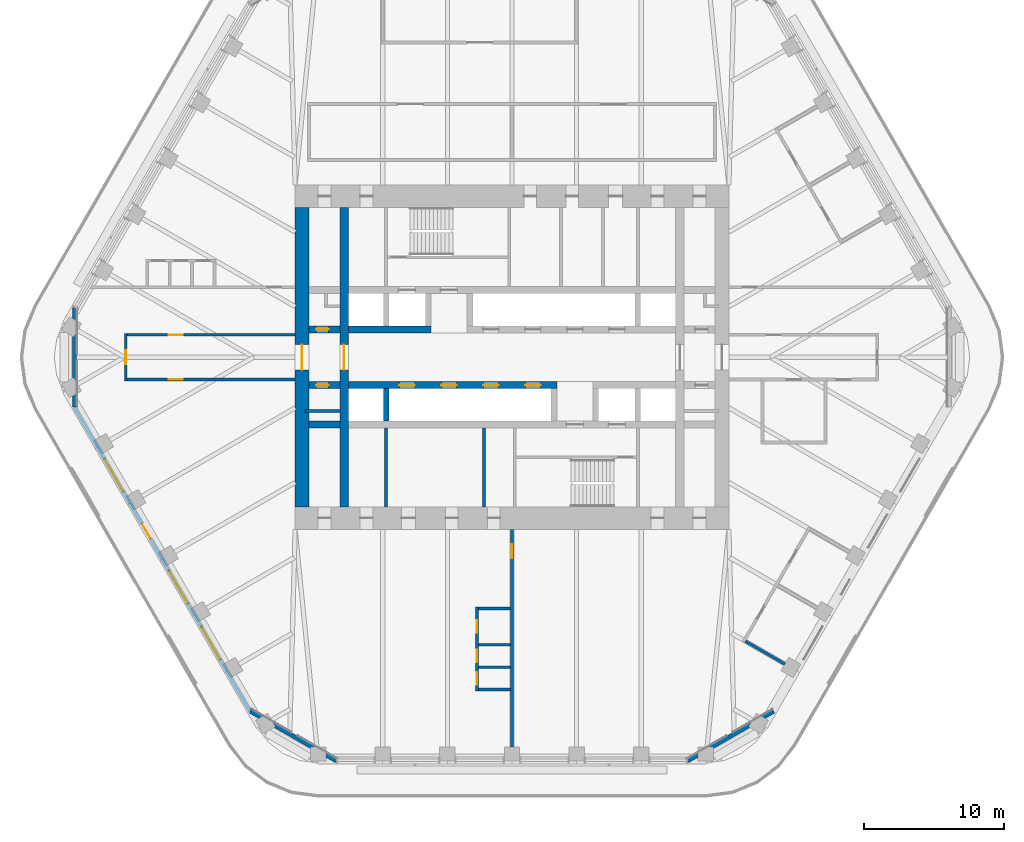
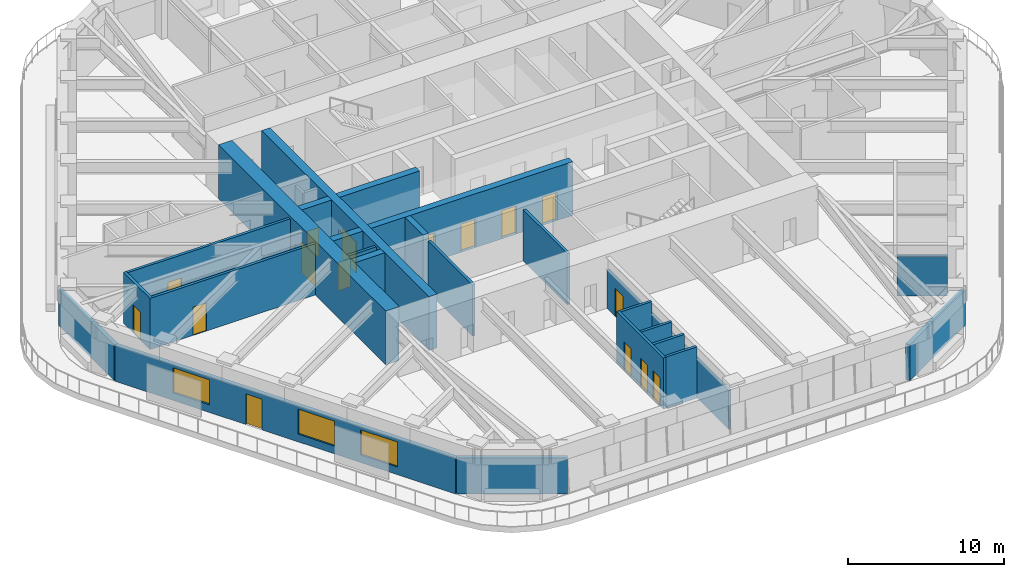
# One storey, part 14 of 20: 25 walls, 16 doors, 3 windows, 19 openings.
"""IFC4 building model written with IfcOpenShell, lengths in metres."""

from ifc_helpers import new_model, si_unit, direction, frame, frame_2d, origin, place, context, subcontext, project, spatial, rectangle, extrude, material, layer, layer_set, type_object, element, fill, save


model = new_model("IFC4")

# Units and contexts
model_context = context("Model", 3, precision=1e-05, world=origin(), true_north=direction((0.0, 1.0)))
body_context = subcontext(model_context, "Body", "Model", "MODEL_VIEW")
ifc_project = project(units=[si_unit("LENGTHUNIT", "METRE"), si_unit("AREAUNIT", "SQUARE_METRE"), si_unit("VOLUMEUNIT", "CUBIC_METRE"), si_unit("PLANEANGLEUNIT", "RADIAN"), si_unit("MASSUNIT", "GRAM", prefix="KILO")], contexts=[model_context])

# Site, building, storey
site_placement = place(None, origin())
site = spatial("IfcSite", under=ifc_project, at=site_placement, CompositionType="ELEMENT")
building_placement = place(site_placement, origin())
building = spatial("IfcBuilding", under=site, at=building_placement, Name="Tarfa Lantern Tower", CompositionType="ELEMENT")
storey_placement = place(building_placement, frame((0.0, 0.0, 278.5)))
storey = spatial("IfcBuildingStorey", under=building, at=storey_placement, Name="L63", CompositionType="ELEMENT", Elevation=278.5)

# Walls
ifc_material_1 = material(Name="Limestone cladding on blockwork", Category="masonry")
ifc_layer_1 = layer(ifc_material_1, 0.300048828125)
ifc_layer_set_1 = layer_set([ifc_layer_1], Name="EW1 STONE-CLAD WALL 300")
wall_type_1 = type_object("IfcWallType", Name="EW1 STONE-CLAD WALL 300", PredefinedType="SOLIDWALL", material=ifc_layer_set_1)
wall_1_placement = place(storey_placement, frame((-31.262939453125, 3.55078125, 0.0), z_axis=(0.0, 0.0, 1.0), x_axis=(0.0, -1.0, 0.0)))
element("IfcWall", 1, at=wall_1_placement, inside=storey, type_object=wall_type_1, Name="Garden wall NW-SW", PredefinedType="SOLIDWALL", context=body_context, shape_type="SweptSolid", body=[
    extrude(rectangle(XDim=7.1015625, YDim=0.300048828125, at=frame_2d((3.55078125, 0.0))), origin(), (0.0, 0.0, 1.0), 2.800048828125),
])
for number, where, z_axis, x_axis, name in (
    (2, (-18.70654296875, -25.299072265625, 0.0), (0.0, 0.0, 1.0), (0.866010973379, -0.500024993363, 0.0), "Garden wall SW-S"),
    (3, (12.556396484375, -28.85009765625, 0.0), (0.0, 0.0, 1.0), (0.866010973379, 0.500024993363, 0.0), "Garden wall S-SE"),
):
    element("IfcWall", number, at=place(storey_placement, frame(where, z_axis=z_axis, x_axis=x_axis)), inside=storey, type_object=wall_type_1, Name=name, PredefinedType="SOLIDWALL", context=body_context, shape_type="SweptSolid", body=[
        extrude(rectangle(XDim=7.101806640625, YDim=0.300048828125, at=frame_2d((3.55078125, 0.0))), origin(), (0.0, 0.0, 1.0), 2.800048828125),
    ])

# Wall, openings, door, windows
wall_2_placement = place(storey_placement, frame((-31.262939453125, -3.55078125, 0.0), z_axis=(0.0, 0.0, 1.0), x_axis=(0.500000442367, -0.866025148383, 0.0)))
wall_2 = element("IfcWall", 4, at=wall_2_placement, inside=storey, type_object=wall_type_1, Name="Stone wall SW", PredefinedType="SOLIDWALL", context=body_context, shape_type="SweptSolid", body=[
    extrude(rectangle(XDim=25.11279296875, YDim=0.300048828125, at=frame_2d((12.556396484375, 0.0))), origin(), (0.0, 0.0, 1.0), 2.800048828125),
])
opening_1_placement = place(wall_2_placement, frame((4.2783203125, 0.0, 0.60009765625)))
opening_1 = element("IfcOpeningElement", 5, at=opening_1_placement, cuts=wall_2, Name="Opening W14", PredefinedType="OPENING", context=body_context, shape_type="SweptSolid", body=[
    extrude(rectangle(XDim=2.699951171875, YDim=1.949951171875, at=frame_2d((1.35009765625, 0.97509765625))), frame((0.0, 0.159912109375, 0.0), z_axis=(0.0, -1.0, 0.0), x_axis=(1.0, 0.0, 0.0)), (0.0, 0.0, 1.0), 0.320068359375),
])
opening_2_placement = place(wall_2_placement, frame((9.64697265625, 0.0, 0.0)))
opening_2 = element("IfcOpeningElement", 6, at=opening_2_placement, cuts=wall_2, Name="Opening D52", PredefinedType="OPENING", context=body_context, shape_type="SweptSolid", body=[
    extrude(rectangle(XDim=1.199951171875, YDim=2.39990234375, at=frame_2d((0.60009765625, 1.199951171875))), frame((0.0, 0.159912109375, 0.0), z_axis=(0.0, -1.0, 0.0), x_axis=(1.0, 0.0, 0.0)), (0.0, 0.0, 1.0), 0.320068359375),
])
opening_3_placement = place(wall_2_placement, frame((13.515869140625, 0.0, 0.60009765625)))
opening_3 = element("IfcOpeningElement", 7, at=opening_3_placement, cuts=wall_2, Name="Opening W14", PredefinedType="OPENING", context=body_context, shape_type="SweptSolid", body=[
    extrude(rectangle(XDim=2.699951171875, YDim=1.949951171875, at=frame_2d((1.35009765625, 0.97509765625))), frame((0.0, 0.159912109375, 0.0), z_axis=(0.0, -1.0, 0.0), x_axis=(1.0, 0.0, 0.0)), (0.0, 0.0, 1.0), 0.320068359375),
])
opening_4_placement = place(wall_2_placement, frame((18.134521484375, 0.0, 0.60009765625)))
opening_4 = element("IfcOpeningElement", 8, at=opening_4_placement, cuts=wall_2, Name="Opening W14", PredefinedType="OPENING", context=body_context, shape_type="SweptSolid", body=[
    extrude(rectangle(XDim=2.699951171875, YDim=1.949951171875, at=frame_2d((1.35009765625, 0.97509765625))), frame((0.0, 0.159912109375, 0.0), z_axis=(0.0, -1.0, 0.0), x_axis=(1.0, 0.0, 0.0)), (0.0, 0.0, 1.0), 0.320068359375),
])
ifc_material_2 = material(Name="Aluminium framed glazed door", Category="aluminium")
door_type_1 = type_object("IfcDoorType", Name="BE3 BALCONY DOOR 1200x2400", OperationType="SINGLE_SWING_RIGHT", PredefinedType="DOOR", material=ifc_material_2)
door_1_placement = place(opening_2_placement, origin())
door_1 = element("IfcDoor", 9, at=door_1_placement, inside=storey, type_object=door_type_1, Name="Balcony door SW", OperationType="SINGLE_SWING_RIGHT", OverallHeight=2.39990234375, OverallWidth=1.199951171875, PredefinedType="DOOR", context=body_context, shape_type="SweptSolid", body=[
    extrude(rectangle(XDim=1.199951171875, YDim=2.39990234375, at=frame_2d((0.60009765625, 1.199951171875))), frame((0.0, 0.02490234375, 0.0), z_axis=(0.0, -1.0, 0.0), x_axis=(1.0, 0.0, 0.0)), (0.0, 0.0, 1.0), 0.050048828125),
])
fill(opening_2, door_1)
ifc_material_3 = material(Name="Aluminium frame, double glazed", Category="aluminium")
window_type = type_object("IfcWindowType", Name="W14 FULL-HEIGHT GLAZING 2700x1950", PartitioningType="SINGLE_PANEL", PredefinedType="WINDOW", material=ifc_material_3)
window_1_placement = place(opening_1_placement, origin())
window_1 = element("IfcWindow", 10, at=window_1_placement, inside=storey, type_object=window_type, Name="Window SW 2", OverallHeight=1.949951171875, OverallWidth=2.699951171875, PartitioningType="SINGLE_PANEL", PredefinedType="WINDOW", context=body_context, shape_type="SweptSolid", body=[
    extrude(rectangle(XDim=2.699951171875, YDim=1.949951171875, at=frame_2d((1.35009765625, 0.97509765625))), frame((0.0, 0.030029296875, 0.0), z_axis=(0.0, -1.0, 0.0), x_axis=(1.0, 0.0, 0.0)), (0.0, 0.0, 1.0), 0.06005859375),
])
fill(opening_1, window_1)
window_2_placement = place(opening_3_placement, origin())
window_2 = element("IfcWindow", 11, at=window_2_placement, inside=storey, type_object=window_type, Name="Window SW 4", OverallHeight=1.949951171875, OverallWidth=2.699951171875, PartitioningType="SINGLE_PANEL", PredefinedType="WINDOW", context=body_context, shape_type="SweptSolid", body=[
    extrude(rectangle(XDim=2.699951171875, YDim=1.949951171875, at=frame_2d((1.35009765625, 0.97509765625))), frame((0.0, 0.030029296875, 0.0), z_axis=(0.0, -1.0, 0.0), x_axis=(1.0, 0.0, 0.0)), (0.0, 0.0, 1.0), 0.06005859375),
])
fill(opening_3, window_2)
window_3_placement = place(opening_4_placement, origin())
window_3 = element("IfcWindow", 12, at=window_3_placement, inside=storey, type_object=window_type, Name="Window SW 5", OverallHeight=1.949951171875, OverallWidth=2.699951171875, PartitioningType="SINGLE_PANEL", PredefinedType="WINDOW", context=body_context, shape_type="SweptSolid", body=[
    extrude(rectangle(XDim=2.699951171875, YDim=1.949951171875, at=frame_2d((1.35009765625, 0.97509765625))), frame((0.0, 0.030029296875, 0.0), z_axis=(0.0, -1.0, 0.0), x_axis=(1.0, 0.0, 0.0)), (0.0, 0.0, 1.0), 0.06005859375),
])
fill(opening_4, window_3)

# Walls
ifc_material_4 = material(Name="Concrete blockwork", Category="masonry")
ifc_layer_2 = layer(ifc_material_4, 0.199951171875)
ifc_layer_set_2 = layer_set([ifc_layer_2], Name="IW1 BLOCKWORK PARTITION 200 EI 120")
wall_type_2 = type_object("IfcWallType", Name="IW1 BLOCKWORK PARTITION 200 EI 120", PredefinedType="PARTITIONING", material=ifc_layer_set_2)
for number, where, z_axis, x_axis, name in (
    (13, (-9.0, -5.050048828125, 0.0), (0.0, 0.0, 1.0), (0.0, -1.0, 0.0), "Core partition"),
    (14, (-2.0, -5.050048828125, 0.0), (0.0, 0.0, 1.0), (0.0, -1.0, 0.0), "Core partition"),
):
    element("IfcWall", number, at=place(storey_placement, frame(where, z_axis=z_axis, x_axis=x_axis)), inside=storey, type_object=wall_type_2, Name=name, PredefinedType="PARTITIONING", context=body_context, shape_type="SweptSolid", body=[
        extrude(rectangle(XDim=5.64990234375, YDim=0.199951171875, at=frame_2d((2.824951171875, 0.0))), origin(), (0.0, 0.0, 1.0), 4.0),
    ])
wall_3_placement = place(storey_placement, frame((-12.300048828125, -3.85009765625, 0.0), z_axis=(0.0, 0.0, 1.0), x_axis=(-1.0, 0.0, 0.0)))
element("IfcWall", 15, at=wall_3_placement, inside=storey, type_object=wall_type_2, Name="Core partition", PredefinedType="PARTITIONING", context=body_context, shape_type="SweptSolid", body=[
    extrude(rectangle(XDim=2.5, YDim=0.199951171875, at=frame_2d((1.25, 0.0))), origin(), (0.0, 0.0, 1.0), 4.0),
])
ifc_material_5 = material(Name="Gypsum board on steel studs", Category="steel")
ifc_layer_3 = layer(ifc_material_5, 0.2099609375)
ifc_layer_set_3 = layer_set([ifc_layer_3], Name="IW2 ACOUSTIC PARTITION 200")
wall_type_3 = type_object("IfcWallType", Name="IW2 ACOUSTIC PARTITION 200", PredefinedType="PARTITIONING", material=ifc_layer_set_3)
wall_4_placement = place(storey_placement, frame((16.685302734375, -20.300048828125, 0.0), z_axis=(0.0, 0.0, 1.0), x_axis=(0.866034226713, -0.499984717929, 0.0)))
element("IfcWall", 16, at=wall_4_placement, inside=storey, type_object=wall_type_3, Name="Partition", PredefinedType="PARTITIONING", context=body_context, shape_type="SweptSolid", body=[
    extrude(rectangle(XDim=3.25, YDim=0.199951171875, at=frame_2d((1.625, 0.0))), origin(), (0.0, 0.0, 1.0), 3.08154296875),
])

# Wall, opening, door
wall_5_placement = place(storey_placement, frame((-15.5, 1.60009765625, 0.0), z_axis=(0.0, 0.0, 1.0), x_axis=(-1.0, 0.0, 0.0)))
wall_5 = element("IfcWall", 17, at=wall_5_placement, inside=storey, type_object=wall_type_3, Name="Partition", PredefinedType="PARTITIONING", context=body_context, shape_type="SweptSolid", body=[
    extrude(rectangle(XDim=12.199951171875, YDim=0.199951171875, at=frame_2d((6.10009765625, 0.0))), origin(), (0.0, 0.0, 1.0), 4.0),
])
opening_5_placement = place(wall_5_placement, frame((8.0400390625, 0.0, 0.0)))
opening_5 = element("IfcOpeningElement", 18, at=opening_5_placement, cuts=wall_5, Name="Opening D45", PredefinedType="OPENING", context=body_context, shape_type="SweptSolid", body=[
    extrude(rectangle(XDim=1.0, YDim=2.199951171875, at=frame_2d((0.5, 1.10009765625))), frame((0.0, 0.10986328125, 0.0), z_axis=(0.0, -1.0, 0.0), x_axis=(1.0, 0.0, 0.0)), (0.0, 0.0, 1.0), 0.219970703125),
])
ifc_material_6 = material(Name="Timber door", Category="wood")
door_type_2 = type_object("IfcDoorType", Name="DR1 ROOM DOOR 1000x2200", OperationType="SINGLE_SWING_LEFT", PredefinedType="DOOR", material=ifc_material_6)
door_2_placement = place(opening_5_placement, frame((1.0, 0.0, 0.0), z_axis=(0.0, 0.0, 1.0), x_axis=(-1.0, 0.0, 0.0)))
door_2 = element("IfcDoor", 19, at=door_2_placement, inside=storey, type_object=door_type_2, Name="Corridor door", OperationType="SINGLE_SWING_RIGHT", OverallHeight=2.199951171875, OverallWidth=1.0, PredefinedType="DOOR", context=body_context, shape_type="SweptSolid", body=[
    extrude(rectangle(XDim=1.0, YDim=2.199951171875, at=frame_2d((0.5, 1.10009765625))), frame((0.0, 0.02490234375, 0.0), z_axis=(0.0, -1.0, 0.0), x_axis=(1.0, 0.0, 0.0)), (0.0, 0.0, 1.0), 0.050048828125),
])
fill(opening_5, door_2)

wall_6_placement = place(storey_placement, frame((-15.5, -1.60009765625, 0.0), z_axis=(0.0, 0.0, 1.0), x_axis=(-1.0, 0.0, 0.0)))
wall_6 = element("IfcWall", 20, at=wall_6_placement, inside=storey, type_object=wall_type_3, Name="Partition", PredefinedType="PARTITIONING", context=body_context, shape_type="SweptSolid", body=[
    extrude(rectangle(XDim=12.199951171875, YDim=0.199951171875, at=frame_2d((6.10009765625, 0.0))), origin(), (0.0, 0.0, 1.0), 4.0),
])
opening_6_placement = place(wall_6_placement, frame((8.0400390625, 0.0, 0.0)))
opening_6 = element("IfcOpeningElement", 21, at=opening_6_placement, cuts=wall_6, Name="Opening D46", PredefinedType="OPENING", context=body_context, shape_type="SweptSolid", body=[
    extrude(rectangle(XDim=1.0, YDim=2.199951171875, at=frame_2d((0.5, 1.10009765625))), frame((0.0, 0.10986328125, 0.0), z_axis=(0.0, -1.0, 0.0), x_axis=(1.0, 0.0, 0.0)), (0.0, 0.0, 1.0), 0.219970703125),
])
door_3_placement = place(opening_6_placement, origin())
door_3 = element("IfcDoor", 22, at=door_3_placement, inside=storey, type_object=door_type_2, Name="Corridor door", OperationType="SINGLE_SWING_LEFT", OverallHeight=2.199951171875, OverallWidth=1.0, PredefinedType="DOOR", context=body_context, shape_type="SweptSolid", body=[
    extrude(rectangle(XDim=1.0, YDim=2.199951171875, at=frame_2d((0.5, 1.10009765625))), frame((0.0, 0.02490234375, 0.0), z_axis=(0.0, -1.0, 0.0), x_axis=(1.0, 0.0, 0.0)), (0.0, 0.0, 1.0), 0.050048828125),
])
fill(opening_6, door_3)

wall_7_placement = place(storey_placement, frame((-27.60009765625, -1.699951171875, 0.0), z_axis=(0.0, 0.0, 1.0), x_axis=(0.0, 1.0, 0.0)))
wall_7 = element("IfcWall", 23, at=wall_7_placement, inside=storey, type_object=wall_type_3, Name="Partition", PredefinedType="PARTITIONING", context=body_context, shape_type="SweptSolid", body=[
    extrude(rectangle(XDim=3.39990234375, YDim=0.199951171875, at=frame_2d((1.699951171875, 0.0))), origin(), (0.0, 0.0, 1.0), 4.0),
])
opening_7_placement = place(wall_7_placement, frame((1.199951171875, 0.0, 0.0)))
opening_7 = element("IfcOpeningElement", 24, at=opening_7_placement, cuts=wall_7, Name="Opening D44", PredefinedType="OPENING", context=body_context, shape_type="SweptSolid", body=[
    extrude(rectangle(XDim=1.0, YDim=2.199951171875, at=frame_2d((0.5, 1.10009765625))), frame((0.0, 0.10986328125, 0.0), z_axis=(0.0, -1.0, 0.0), x_axis=(1.0, 0.0, 0.0)), (0.0, 0.0, 1.0), 0.219970703125),
])
door_4_placement = place(opening_7_placement, origin())
door_4 = element("IfcDoor", 25, at=door_4_placement, inside=storey, type_object=door_type_2, Name="Corridor door", OperationType="SINGLE_SWING_RIGHT", OverallHeight=2.199951171875, OverallWidth=1.0, PredefinedType="DOOR", context=body_context, shape_type="SweptSolid", body=[
    extrude(rectangle(XDim=1.0, YDim=2.199951171875, at=frame_2d((0.5, 1.10009765625))), frame((0.0, 0.02490234375, 0.0), z_axis=(0.0, -1.0, 0.0), x_axis=(1.0, 0.0, 0.0)), (0.0, 0.0, 1.0), 0.050048828125),
])
fill(opening_7, door_4)

wall_8_placement = place(storey_placement, frame((0.0, -12.300048828125, 0.0), z_axis=(0.0, 0.0, 1.0), x_axis=(0.0, -1.0, 0.0)))
wall_8 = element("IfcWall", 26, at=wall_8_placement, inside=storey, type_object=wall_type_3, Name="Partition", PredefinedType="PARTITIONING", context=body_context, shape_type="SweptSolid", body=[
    extrude(rectangle(XDim=15.550048828125, YDim=0.199951171875, at=frame_2d((7.77490234375, 0.0))), origin(), (0.0, 0.0, 1.0), 2.991943359375),
])
opening_8_placement = place(wall_8_placement, frame((1.054931640625, 0.0, 0.0)))
opening_8 = element("IfcOpeningElement", 27, at=opening_8_placement, cuts=wall_8, Name="Opening D48", PredefinedType="OPENING", context=body_context, shape_type="SweptSolid", body=[
    extrude(rectangle(XDim=1.0, YDim=2.199951171875, at=frame_2d((0.5, 1.10009765625))), frame((0.0, 0.10986328125, 0.0), z_axis=(0.0, -1.0, 0.0), x_axis=(1.0, 0.0, 0.0)), (0.0, 0.0, 1.0), 0.219970703125),
])
door_5_placement = place(opening_8_placement, origin())
door_5 = element("IfcDoor", 28, at=door_5_placement, inside=storey, type_object=door_type_2, Name="Zone door", OperationType="SINGLE_SWING_RIGHT", OverallHeight=2.199951171875, OverallWidth=1.0, PredefinedType="DOOR", context=body_context, shape_type="SweptSolid", body=[
    extrude(rectangle(XDim=1.0, YDim=2.199951171875, at=frame_2d((0.5, 1.10009765625))), frame((0.0, 0.02490234375, 0.0), z_axis=(0.0, -1.0, 0.0), x_axis=(1.0, 0.0, 0.0)), (0.0, 0.0, 1.0), 0.050048828125),
])
fill(opening_8, door_5)

# Wall, openings, doors
wall_9_placement = place(storey_placement, frame((-2.5, -17.8525390625, 0.0), z_axis=(0.0, 0.0, 1.0), x_axis=(0.0, -1.0, 0.0)))
wall_9 = element("IfcWall", 29, at=wall_9_placement, inside=storey, type_object=wall_type_3, Name="Partition", PredefinedType="PARTITIONING", context=body_context, shape_type="SweptSolid", body=[
    extrude(rectangle(XDim=6.0, YDim=0.199951171875, at=frame_2d((3.0, 0.0))), origin(), (0.0, 0.0, 1.0), 4.0),
])
opening_9_placement = place(wall_9_placement, frame((0.949951171875, 0.0, 0.0)))
opening_9 = element("IfcOpeningElement", 30, at=opening_9_placement, cuts=wall_9, Name="Opening D35", PredefinedType="OPENING", context=body_context, shape_type="SweptSolid", body=[
    extrude(rectangle(XDim=0.89990234375, YDim=2.199951171875, at=frame_2d((0.449951171875, 1.10009765625))), frame((0.0, 0.10986328125, 0.0), z_axis=(0.0, -1.0, 0.0), x_axis=(1.0, 0.0, 0.0)), (0.0, 0.0, 1.0), 0.219970703125),
])
opening_10_placement = place(wall_9_placement, frame((3.050048828125, 0.0, 0.0)))
opening_10 = element("IfcOpeningElement", 31, at=opening_10_placement, cuts=wall_9, Name="Opening D36", PredefinedType="OPENING", context=body_context, shape_type="SweptSolid", body=[
    extrude(rectangle(XDim=0.89990234375, YDim=2.199951171875, at=frame_2d((0.449951171875, 1.10009765625))), frame((0.0, 0.10986328125, 0.0), z_axis=(0.0, -1.0, 0.0), x_axis=(1.0, 0.0, 0.0)), (0.0, 0.0, 1.0), 0.219970703125),
])
opening_11_placement = place(wall_9_placement, frame((4.64990234375, 0.0, 0.0)))
opening_11 = element("IfcOpeningElement", 32, at=opening_11_placement, cuts=wall_9, Name="Opening D37", PredefinedType="OPENING", context=body_context, shape_type="SweptSolid", body=[
    extrude(rectangle(XDim=0.89990234375, YDim=2.199951171875, at=frame_2d((0.449951171875, 1.10009765625))), frame((0.0, 0.10986328125, 0.0), z_axis=(0.0, -1.0, 0.0), x_axis=(1.0, 0.0, 0.0)), (0.0, 0.0, 1.0), 0.219970703125),
])
door_type_3 = type_object("IfcDoorType", Name="DR3 ROOM DOOR 900x2200", OperationType="SINGLE_SWING_LEFT", PredefinedType="DOOR", material=ifc_material_6)
door_6_placement = place(opening_9_placement, origin())
door_6 = element("IfcDoor", 33, at=door_6_placement, inside=storey, type_object=door_type_3, Name="Print and copy room door", OperationType="SINGLE_SWING_RIGHT", OverallHeight=2.199951171875, OverallWidth=0.89990234375, PredefinedType="DOOR", context=body_context, shape_type="SweptSolid", body=[
    extrude(rectangle(XDim=0.89990234375, YDim=2.199951171875, at=frame_2d((0.449951171875, 1.10009765625))), frame((0.0, 0.02490234375, 0.0), z_axis=(0.0, -1.0, 0.0), x_axis=(1.0, 0.0, 0.0)), (0.0, 0.0, 1.0), 0.050048828125),
])
fill(opening_9, door_6)
door_7_placement = place(opening_10_placement, origin())
door_7 = element("IfcDoor", 34, at=door_7_placement, inside=storey, type_object=door_type_3, Name="Phone booth door", OperationType="SINGLE_SWING_LEFT", OverallHeight=2.199951171875, OverallWidth=0.89990234375, PredefinedType="DOOR", context=body_context, shape_type="SweptSolid", body=[
    extrude(rectangle(XDim=0.89990234375, YDim=2.199951171875, at=frame_2d((0.449951171875, 1.10009765625))), frame((0.0, 0.02490234375, 0.0), z_axis=(0.0, -1.0, 0.0), x_axis=(1.0, 0.0, 0.0)), (0.0, 0.0, 1.0), 0.050048828125),
])
fill(opening_10, door_7)
door_8_placement = place(opening_11_placement, origin())
door_8 = element("IfcDoor", 35, at=door_8_placement, inside=storey, type_object=door_type_3, Name="Phone booth door", OperationType="SINGLE_SWING_LEFT", OverallHeight=2.199951171875, OverallWidth=0.89990234375, PredefinedType="DOOR", context=body_context, shape_type="SweptSolid", body=[
    extrude(rectangle(XDim=0.89990234375, YDim=2.199951171875, at=frame_2d((0.449951171875, 1.10009765625))), frame((0.0, 0.02490234375, 0.0), z_axis=(0.0, -1.0, 0.0), x_axis=(1.0, 0.0, 0.0)), (0.0, 0.0, 1.0), 0.050048828125),
])
fill(opening_11, door_8)

# Walls
for number, where, z_axis, x_axis, name in (
    (36, (-0.10009765625, -17.952392578125, 0.0), (0.0, 0.0, 1.0), (-1.0, 0.0, 0.0), "Partition"),
    (37, (-0.10009765625, -20.552490234375, 0.0), (0.0, 0.0, 1.0), (-1.0, 0.0, 0.0), "Partition"),
    (38, (-0.10009765625, -22.152587890625, 0.0), (0.0, 0.0, 1.0), (-1.0, 0.0, 0.0), "Partition"),
    (39, (-0.10009765625, -23.75244140625, 0.0), (0.0, 0.0, 1.0), (-1.0, 0.0, 0.0), "Partition"),
):
    element("IfcWall", number, at=place(storey_placement, frame(where, z_axis=z_axis, x_axis=x_axis)), inside=storey, type_object=wall_type_3, Name=name, PredefinedType="PARTITIONING", context=body_context, shape_type="SweptSolid", body=[
        extrude(rectangle(XDim=2.2998046875, YDim=0.199951171875, at=frame_2d((1.14990234375, 0.0))), origin(), (0.0, 0.0, 1.0), 4.0),
    ])

# Wall, opening, door
ifc_material_7 = material(Name="Concrete C80/95", Category="concrete")
ifc_layer_4 = layer(ifc_material_7, 1.0)
ifc_layer_set_4 = layer_set([ifc_layer_4], Name="SW2 CORE WALL 1000")
wall_type_4 = type_object("IfcWallType", Name="SW2 CORE WALL 1000", PredefinedType="SHEAR", material=ifc_layer_set_4)
wall_10_placement = place(storey_placement, frame((-15.0, 10.699951171875, 0.0), z_axis=(0.0, 0.0, 1.0), x_axis=(0.0, -1.0, 0.0)))
wall_10 = element("IfcWall", 40, at=wall_10_placement, inside=storey, type_object=wall_type_4, Name="Core wall W", PredefinedType="SHEAR", context=body_context, shape_type="SweptSolid", body=[
    extrude(rectangle(XDim=21.39990234375, YDim=1.0, at=frame_2d((10.699951171875, 0.0))), origin(), (0.0, 0.0, 1.0), 4.199951171875),
])
opening_12_placement = place(wall_10_placement, frame((9.800048828125, 0.0, 0.0)))
opening_12 = element("IfcOpeningElement", 41, at=opening_12_placement, cuts=wall_10, Name="Opening D12", PredefinedType="OPENING", context=body_context, shape_type="SweptSolid", body=[
    extrude(rectangle(XDim=1.800048828125, YDim=2.39990234375, at=frame_2d((0.89990234375, 1.199951171875))), frame((0.0, 0.510009765625, 0.0), z_axis=(0.0, -1.0, 0.0), x_axis=(1.0, 0.0, 0.0)), (0.0, 0.0, 1.0), 1.02001953125),
])
ifc_material_8 = material(Name="Steel fire door", Category="steel")
door_type_4 = type_object("IfcDoorType", Name="DL1 LOBBY DOOR 1800x2400", OperationType="DOUBLE_DOOR_SINGLE_SWING", PredefinedType="DOOR", material=ifc_material_8)
door_9_placement = place(opening_12_placement, frame((1.800048828125, 0.0, 0.0), z_axis=(0.0, 0.0, 1.0), x_axis=(-1.0, 0.0, 0.0)))
door_9 = element("IfcDoor", 42, at=door_9_placement, inside=storey, type_object=door_type_4, Name="Lift lobby door", OperationType="DOUBLE_DOOR_SINGLE_SWING", OverallHeight=2.39990234375, OverallWidth=1.800048828125, PredefinedType="DOOR", context=body_context, shape_type="SweptSolid", body=[
    extrude(rectangle(XDim=1.800048828125, YDim=2.39990234375, at=frame_2d((0.89990234375, 1.199951171875))), frame((0.0, 0.02490234375, 0.0), z_axis=(0.0, -1.0, 0.0), x_axis=(1.0, 0.0, 0.0)), (0.0, 0.0, 1.0), 0.050048828125),
])
fill(opening_12, door_9)

ifc_layer_5 = layer(ifc_material_7, 0.5)
ifc_layer_set_5 = layer_set([ifc_layer_5], Name="SW5 CORE WALL 500")
wall_type_5 = type_object("IfcWallType", Name="SW5 CORE WALL 500", PredefinedType="SHEAR", material=ifc_layer_set_5)
wall_11_placement = place(storey_placement, frame((-14.5, 2.0, 0.0), z_axis=(0.0, 0.0, 1.0), x_axis=(1.0, 0.0, 0.0)))
wall_11 = element("IfcWall", 43, at=wall_11_placement, inside=storey, type_object=wall_type_5, Name="Core wall lobby west N", PredefinedType="SHEAR", context=body_context, shape_type="SweptSolid", body=[
    extrude(rectangle(XDim=2.199951171875, YDim=0.5, at=frame_2d((1.10009765625, 0.0))), origin(), (0.0, 0.0, 1.0), 4.199951171875),
])
opening_13_placement = place(wall_11_placement, frame((0.5, 0.0, 0.0)))
opening_13 = element("IfcOpeningElement", 44, at=opening_13_placement, cuts=wall_11, Name="Opening D15", PredefinedType="OPENING", context=body_context, shape_type="SweptSolid", body=[
    extrude(rectangle(XDim=0.89990234375, YDim=2.199951171875, at=frame_2d((0.449951171875, 1.10009765625))), frame((0.0, 0.260009765625, 0.0), z_axis=(0.0, -1.0, 0.0), x_axis=(1.0, 0.0, 0.0)), (0.0, 0.0, 1.0), 0.52001953125),
])
door_type_5 = type_object("IfcDoorType", Name="DF6 SERVICE ROOM DOOR 900x2200", OperationType="SINGLE_SWING_LEFT", PredefinedType="DOOR", material=ifc_material_8)
door_10_placement = place(opening_13_placement, origin())
door_10 = element("IfcDoor", 45, at=door_10_placement, inside=storey, type_object=door_type_5, Name="Service room door", OperationType="SINGLE_SWING_RIGHT", OverallHeight=2.199951171875, OverallWidth=0.89990234375, PredefinedType="DOOR", context=body_context, shape_type="SweptSolid", body=[
    extrude(rectangle(XDim=0.89990234375, YDim=2.199951171875, at=frame_2d((0.449951171875, 1.10009765625))), frame((0.0, 0.02490234375, 0.0), z_axis=(0.0, -1.0, 0.0), x_axis=(1.0, 0.0, 0.0)), (0.0, 0.0, 1.0), 0.050048828125),
])
fill(opening_13, door_10)

# Wall
wall_12_placement = place(storey_placement, frame((-11.699951171875, 2.0, 0.0), z_axis=(0.0, 0.0, 1.0), x_axis=(1.0, 0.0, 0.0)))
element("IfcWall", 46, at=wall_12_placement, inside=storey, type_object=wall_type_5, Name="Core wall lobby west N", PredefinedType="SHEAR", context=body_context, shape_type="SweptSolid", body=[
    extrude(rectangle(XDim=5.89990234375, YDim=0.5, at=frame_2d((2.949951171875, 0.0))), origin(), (0.0, 0.0, 1.0), 4.199951171875),
])

# Wall, openings, doors
wall_13_placement = place(storey_placement, frame((3.199951171875, -2.0, 0.0), z_axis=(0.0, 0.0, 1.0), x_axis=(-1.0, 0.0, 0.0)))
wall_13 = element("IfcWall", 47, at=wall_13_placement, inside=storey, type_object=wall_type_5, Name="Core wall lobby east S", PredefinedType="SHEAR", context=body_context, shape_type="SweptSolid", body=[
    extrude(rectangle(XDim=14.89990234375, YDim=0.5, at=frame_2d((7.449951171875, 0.0))), origin(), (0.0, 0.0, 1.0), 4.199951171875),
])
opening_14_placement = place(wall_13_placement, frame((1.14990234375, 0.0, 0.0)))
opening_14 = element("IfcOpeningElement", 48, at=opening_14_placement, cuts=wall_13, Name="Opening LD07", PredefinedType="OPENING", context=body_context, shape_type="SweptSolid", body=[
    extrude(rectangle(XDim=1.10009765625, YDim=2.199951171875, at=frame_2d((0.550048828125, 1.10009765625))), frame((0.0, 0.260009765625, 0.0), z_axis=(0.0, -1.0, 0.0), x_axis=(1.0, 0.0, 0.0)), (0.0, 0.0, 1.0), 0.52001953125),
])
opening_15_placement = place(wall_13_placement, frame((4.14990234375, 0.0, 0.0)))
opening_15 = element("IfcOpeningElement", 49, at=opening_15_placement, cuts=wall_13, Name="Opening LD08", PredefinedType="OPENING", context=body_context, shape_type="SweptSolid", body=[
    extrude(rectangle(XDim=1.10009765625, YDim=2.199951171875, at=frame_2d((0.550048828125, 1.10009765625))), frame((0.0, 0.260009765625, 0.0), z_axis=(0.0, -1.0, 0.0), x_axis=(1.0, 0.0, 0.0)), (0.0, 0.0, 1.0), 0.52001953125),
])
opening_16_placement = place(wall_13_placement, frame((7.14990234375, 0.0, 0.0)))
opening_16 = element("IfcOpeningElement", 50, at=opening_16_placement, cuts=wall_13, Name="Opening LD09", PredefinedType="OPENING", context=body_context, shape_type="SweptSolid", body=[
    extrude(rectangle(XDim=1.10009765625, YDim=2.199951171875, at=frame_2d((0.550048828125, 1.10009765625))), frame((0.0, 0.260009765625, 0.0), z_axis=(0.0, -1.0, 0.0), x_axis=(1.0, 0.0, 0.0)), (0.0, 0.0, 1.0), 0.52001953125),
])
opening_17_placement = place(wall_13_placement, frame((10.14990234375, 0.0, 0.0)))
opening_17 = element("IfcOpeningElement", 51, at=opening_17_placement, cuts=wall_13, Name="Opening LD10", PredefinedType="OPENING", context=body_context, shape_type="SweptSolid", body=[
    extrude(rectangle(XDim=1.10009765625, YDim=2.199951171875, at=frame_2d((0.550048828125, 1.10009765625))), frame((0.0, 0.260009765625, 0.0), z_axis=(0.0, -1.0, 0.0), x_axis=(1.0, 0.0, 0.0)), (0.0, 0.0, 1.0), 0.52001953125),
])
ifc_material_9 = material(Name="Stainless steel lift door", Category="steel")
door_type_6 = type_object("IfcDoorType", Name="LD2 LIFT LANDING DOOR 1100x2200", OperationType="SLIDING_TO_LEFT", PredefinedType="DOOR", material=ifc_material_9)
door_11_placement = place(opening_14_placement, frame((1.10009765625, 0.0, 0.0), z_axis=(0.0, 0.0, 1.0), x_axis=(-1.0, 0.0, 0.0)))
door_11 = element("IfcDoor", 52, at=door_11_placement, inside=storey, type_object=door_type_6, Name="Landing door PC5", OperationType="SLIDING_TO_LEFT", OverallHeight=2.199951171875, OverallWidth=1.10009765625, PredefinedType="DOOR", context=body_context, shape_type="SweptSolid", body=[
    extrude(rectangle(XDim=1.10009765625, YDim=2.199951171875, at=frame_2d((0.550048828125, 1.10009765625))), frame((0.0, 0.02490234375, 0.0), z_axis=(0.0, -1.0, 0.0), x_axis=(1.0, 0.0, 0.0)), (0.0, 0.0, 1.0), 0.050048828125),
])
fill(opening_14, door_11)
door_12_placement = place(opening_15_placement, frame((1.10009765625, 0.0, 0.0), z_axis=(0.0, 0.0, 1.0), x_axis=(-1.0, 0.0, 0.0)))
door_12 = element("IfcDoor", 53, at=door_12_placement, inside=storey, type_object=door_type_6, Name="Landing door PC6", OperationType="SLIDING_TO_LEFT", OverallHeight=2.199951171875, OverallWidth=1.10009765625, PredefinedType="DOOR", context=body_context, shape_type="SweptSolid", body=[
    extrude(rectangle(XDim=1.10009765625, YDim=2.199951171875, at=frame_2d((0.550048828125, 1.10009765625))), frame((0.0, 0.02490234375, 0.0), z_axis=(0.0, -1.0, 0.0), x_axis=(1.0, 0.0, 0.0)), (0.0, 0.0, 1.0), 0.050048828125),
])
fill(opening_15, door_12)
door_13_placement = place(opening_16_placement, frame((1.10009765625, 0.0, 0.0), z_axis=(0.0, 0.0, 1.0), x_axis=(-1.0, 0.0, 0.0)))
door_13 = element("IfcDoor", 54, at=door_13_placement, inside=storey, type_object=door_type_6, Name="Landing door PC7", OperationType="SLIDING_TO_LEFT", OverallHeight=2.199951171875, OverallWidth=1.10009765625, PredefinedType="DOOR", context=body_context, shape_type="SweptSolid", body=[
    extrude(rectangle(XDim=1.10009765625, YDim=2.199951171875, at=frame_2d((0.550048828125, 1.10009765625))), frame((0.0, 0.02490234375, 0.0), z_axis=(0.0, -1.0, 0.0), x_axis=(1.0, 0.0, 0.0)), (0.0, 0.0, 1.0), 0.050048828125),
])
fill(opening_16, door_13)
door_14_placement = place(opening_17_placement, frame((1.10009765625, 0.0, 0.0), z_axis=(0.0, 0.0, 1.0), x_axis=(-1.0, 0.0, 0.0)))
door_14 = element("IfcDoor", 55, at=door_14_placement, inside=storey, type_object=door_type_6, Name="Landing door PC8", OperationType="SLIDING_TO_LEFT", OverallHeight=2.199951171875, OverallWidth=1.10009765625, PredefinedType="DOOR", context=body_context, shape_type="SweptSolid", body=[
    extrude(rectangle(XDim=1.10009765625, YDim=2.199951171875, at=frame_2d((0.550048828125, 1.10009765625))), frame((0.0, 0.02490234375, 0.0), z_axis=(0.0, -1.0, 0.0), x_axis=(1.0, 0.0, 0.0)), (0.0, 0.0, 1.0), 0.050048828125),
])
fill(opening_17, door_14)

# Wall, opening, door
wall_14_placement = place(storey_placement, frame((-12.300048828125, -2.0, 0.0), z_axis=(0.0, 0.0, 1.0), x_axis=(-1.0, 0.0, 0.0)))
wall_14 = element("IfcWall", 56, at=wall_14_placement, inside=storey, type_object=wall_type_5, Name="Core wall lobby east S", PredefinedType="SHEAR", context=body_context, shape_type="SweptSolid", body=[
    extrude(rectangle(XDim=2.199951171875, YDim=0.5, at=frame_2d((1.10009765625, 0.0))), origin(), (0.0, 0.0, 1.0), 4.199951171875),
])
opening_18_placement = place(wall_14_placement, frame((0.800048828125, 0.0, 0.0)))
opening_18 = element("IfcOpeningElement", 57, at=opening_18_placement, cuts=wall_14, Name="Opening D14", PredefinedType="OPENING", context=body_context, shape_type="SweptSolid", body=[
    extrude(rectangle(XDim=0.89990234375, YDim=2.199951171875, at=frame_2d((0.449951171875, 1.10009765625))), frame((0.0, 0.260009765625, 0.0), z_axis=(0.0, -1.0, 0.0), x_axis=(1.0, 0.0, 0.0)), (0.0, 0.0, 1.0), 0.52001953125),
])
door_15_placement = place(opening_18_placement, origin())
door_15 = element("IfcDoor", 58, at=door_15_placement, inside=storey, type_object=door_type_5, Name="Service room door", OperationType="SINGLE_SWING_LEFT", OverallHeight=2.199951171875, OverallWidth=0.89990234375, PredefinedType="DOOR", context=body_context, shape_type="SweptSolid", body=[
    extrude(rectangle(XDim=0.89990234375, YDim=2.199951171875, at=frame_2d((0.449951171875, 1.10009765625))), frame((0.0, 0.02490234375, 0.0), z_axis=(0.0, -1.0, 0.0), x_axis=(1.0, 0.0, 0.0)), (0.0, 0.0, 1.0), 0.050048828125),
])
fill(opening_18, door_15)

# Walls
wall_15_placement = place(storey_placement, frame((-12.300048828125, -4.800048828125, 0.0), z_axis=(0.0, 0.0, 1.0), x_axis=(-1.0, 0.0, 0.0)))
element("IfcWall", 59, at=wall_15_placement, inside=storey, type_object=wall_type_5, Name="Core wall rear S", PredefinedType="SHEAR", context=body_context, shape_type="SweptSolid", body=[
    extrude(rectangle(XDim=2.199951171875, YDim=0.5, at=frame_2d((1.10009765625, 0.0))), origin(), (0.0, 0.0, 1.0), 4.199951171875),
])
ifc_layer_6 = layer(ifc_material_7, 0.39990234375)
ifc_layer_set_6 = layer_set([ifc_layer_6], Name="SW6 CORE WALL 400")
wall_type_6 = type_object("IfcWallType", Name="SW6 CORE WALL 400", PredefinedType="SHEAR", material=ifc_layer_set_6)
wall_16_placement = place(storey_placement, frame((-9.0, -2.25, 0.0), z_axis=(0.0, 0.0, 1.0), x_axis=(0.0, -1.0, 0.0)))
element("IfcWall", 60, at=wall_16_placement, inside=storey, type_object=wall_type_6, Name="Core wall divider S", PredefinedType="SHEAR", context=body_context, shape_type="SweptSolid", body=[
    extrude(rectangle(XDim=2.300048828125, YDim=0.39990234375, at=frame_2d((1.14990234375, 0.0))), origin(), (0.0, 0.0, 1.0), 4.199951171875),
])

# Wall, opening, door
ifc_layer_7 = layer(ifc_material_7, 0.60009765625)
ifc_layer_set_7 = layer_set([ifc_layer_7], Name="SW9 CORE WALL 600")
wall_type_7 = type_object("IfcWallType", Name="SW9 CORE WALL 600", PredefinedType="SHEAR", material=ifc_layer_set_7)
wall_17_placement = place(storey_placement, frame((-12.0, -10.699951171875, 0.0), z_axis=(0.0, 0.0, 1.0), x_axis=(0.0, 1.0, 0.0)))
wall_17 = element("IfcWall", 61, at=wall_17_placement, inside=storey, type_object=wall_type_7, Name="Core wall cross 12 m west", PredefinedType="SHEAR", context=body_context, shape_type="SweptSolid", body=[
    extrude(rectangle(XDim=21.39990234375, YDim=0.60009765625, at=frame_2d((10.699951171875, 0.0))), origin(), (0.0, 0.0, 1.0), 4.199951171875),
])
opening_19_placement = place(wall_17_placement, frame((9.800048828125, 0.0, 0.0)))
opening_19 = element("IfcOpeningElement", 62, at=opening_19_placement, cuts=wall_17, Name="Opening D26", PredefinedType="OPENING", context=body_context, shape_type="SweptSolid", body=[
    extrude(rectangle(XDim=1.800048828125, YDim=2.39990234375, at=frame_2d((0.89990234375, 1.199951171875))), frame((0.0, 0.31005859375, 0.0), z_axis=(0.0, -1.0, 0.0), x_axis=(1.0, 0.0, 0.0)), (0.0, 0.0, 1.0), 0.6201171875),
])
door_16_placement = place(opening_19_placement, origin())
door_16 = element("IfcDoor", 63, at=door_16_placement, inside=storey, type_object=door_type_4, Name="Lift lobby door", OperationType="DOUBLE_DOOR_SINGLE_SWING", OverallHeight=2.39990234375, OverallWidth=1.800048828125, PredefinedType="DOOR", context=body_context, shape_type="SweptSolid", body=[
    extrude(rectangle(XDim=1.800048828125, YDim=2.39990234375, at=frame_2d((0.89990234375, 1.199951171875))), frame((0.0, 0.02490234375, 0.0), z_axis=(0.0, -1.0, 0.0), x_axis=(1.0, 0.0, 0.0)), (0.0, 0.0, 1.0), 0.050048828125),
])
fill(opening_19, door_16)

save(model, "model.ifc")
